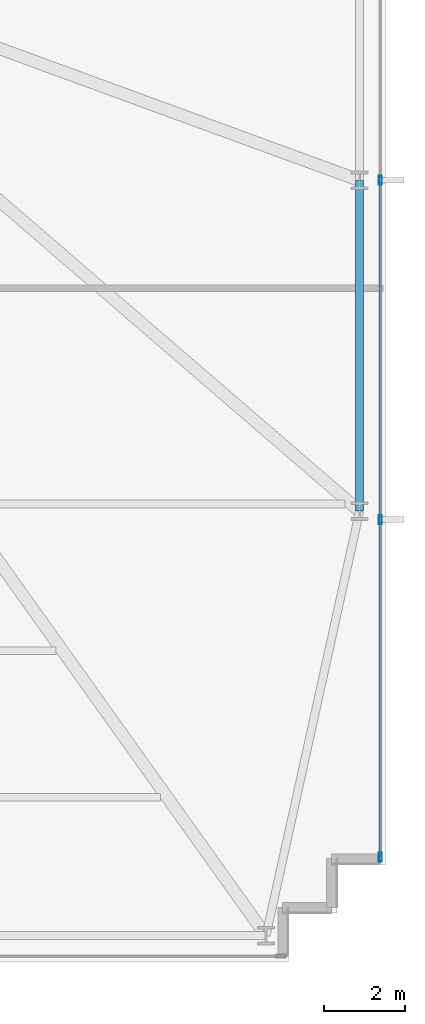
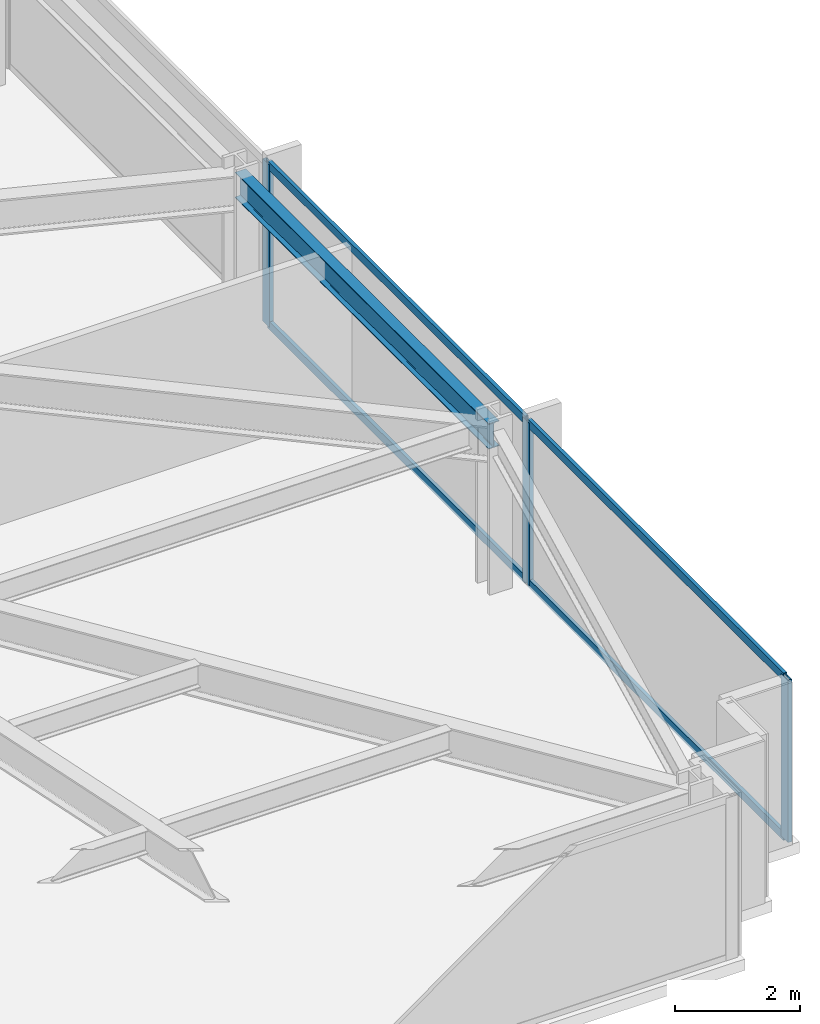
# One storey, part 22 of 32: 7 members, 1 beam, 1 element without a shape of its own.
"""IFC4 building model written with IfcOpenShell, lengths in metres."""

from ifc_helpers import new_model, si_unit, direction, frame, origin, origin_2d, place, context, subcontext, project, spatial, hollow_rectangle, i_section, extrude, material, material_profile, profile_set, type_object, element, aggregate, save


model = new_model("IFC4")

# Units and contexts
model_context = context("Model", 3, precision=1e-05, world=origin(), true_north=direction((0.0, 1.0)))
body_context = subcontext(model_context, "Body", "Model", "MODEL_VIEW")
ifc_project = project(units=[si_unit("LENGTHUNIT", "METRE"), si_unit("AREAUNIT", "SQUARE_METRE"), si_unit("VOLUMEUNIT", "CUBIC_METRE"), si_unit("PLANEANGLEUNIT", "RADIAN"), si_unit("MASSUNIT", "GRAM", prefix="KILO")], contexts=[model_context])

# Site, building, storey
site_placement = place(None, origin())
site = spatial("IfcSite", under=ifc_project, at=site_placement, CompositionType="ELEMENT")
building_placement = place(site_placement, origin())
building = spatial("IfcBuilding", under=site, at=building_placement, Name="Yelkora Congress Tower", CompositionType="ELEMENT")
storey_placement = place(building_placement, frame((0.0, 0.0, 61.0)))
storey = spatial("IfcBuildingStorey", under=building, at=storey_placement, Name="L15", CompositionType="ELEMENT", Elevation=61.0)

# Beam
ifc_material_1 = material(Name="Steel S355J2", Category="steel")
ifc_material_profile_1 = material_profile(ifc_material_1, i_section(OverallWidth=0.199951171875, OverallDepth=0.5, WebThickness=0.01025390625, FlangeThickness=0.01611328125, FilletRadius=0.02099609375, at=origin_2d()), Name="IPE 500")
ifc_profile_set_1 = profile_set([ifc_material_profile_1], Name="Steel S355J2")
beam_type = type_object("IfcBeamType", Name="BM-SPAN-IPE500", PredefinedType="SPANDREL", material=ifc_profile_set_1)
beam_placement = place(storey_placement, frame((70.14990234375, 21.27490234375, 2.929931640625), z_axis=(0.0, 1.0, 0.0), x_axis=(-1.0, 0.0, 0.0)))
element("IfcBeam", 1, at=beam_placement, inside=storey, type_object=beam_type, Name="L15 Perimeter Beam 11", PredefinedType="SPANDREL", context=body_context, shape_type="SweptSolid", body=[
    extrude(i_section(OverallWidth=0.199951171875, OverallDepth=0.5, WebThickness=0.01025390625, FlangeThickness=0.01611328125, FilletRadius=0.02099609375, at=origin_2d()), origin(), (0.0, 0.0, 1.0), 8.125),
])

# Curtain wall, members
ifc_material_2 = material(Name="Anodised aluminium and insulated glass", Category="aluminium")
curtain_wall_type = type_object("IfcCurtainWallType", Name="CW-SYS-B1", PredefinedType="NOTDEFINED", material=ifc_material_2)
curtain_wall_placement = place(storey_placement, origin())
curtain_wall = element("IfcCurtainWall", 2, at=curtain_wall_placement, inside=storey, type_object=curtain_wall_type, Name="L15 Unitised Curtain Wall 15", PredefinedType="NOTDEFINED")
ifc_material_3 = material(Name="Anodised aluminium 6063-T6", Category="aluminium")
ifc_material_profile_2 = material_profile(ifc_material_3, hollow_rectangle(XDim=0.074951171875, YDim=0.219970703125, WallThickness=0.0048828125, at=origin_2d()), Name="ALU 75x220x5")
ifc_profile_set_2 = profile_set([ifc_material_profile_2], Name="Anodised aluminium 6063-T6")
member_type_1 = type_object("IfcMemberType", Name="MEM-ML-B1", PredefinedType="MULLION", material=ifc_profile_set_2)
member_1_placement = place(storey_placement, frame((70.659912109375, 29.39990234375, 0.0), z_axis=(0.0, 0.0, 1.0), x_axis=(1.0, 0.0, 0.0)))
member_1 = element("IfcMember", 3, at=member_1_placement, type_object=member_type_1, Name="CW-B1 mullion 3", PredefinedType="MULLION", context=body_context, shape_type="SweptSolid", body=[
    extrude(hollow_rectangle(XDim=0.074951171875, YDim=0.219970703125, WallThickness=0.0048828125, at=origin_2d()), origin(), (0.0, 0.0, 1.0), 3.179931640625),
])
member_2_placement = place(storey_placement, frame((70.659912109375, 21.070068359375, 0.0), z_axis=(0.0, 0.0, 1.0), x_axis=(1.0, 0.0, 0.0)))
member_2 = element("IfcMember", 4, at=member_2_placement, type_object=member_type_1, Name="CW-B1 mullion 4", PredefinedType="MULLION", context=body_context, shape_type="SweptSolid", body=[
    extrude(hollow_rectangle(XDim=0.074951171875, YDim=0.219970703125, WallThickness=0.0048828125, at=origin_2d()), origin(), (0.0, 0.0, 1.0), 3.179931640625),
])
member_3_placement = place(storey_placement, frame((70.659912109375, 12.777587890625, 0.0), z_axis=(0.0, 0.0, 1.0), x_axis=(1.0, 0.0, 0.0)))
member_3 = element("IfcMember", 5, at=member_3_placement, type_object=member_type_1, Name="CW-B1 mullion 5", PredefinedType="MULLION", context=body_context, shape_type="SweptSolid", body=[
    extrude(hollow_rectangle(XDim=0.074951171875, YDim=0.219970703125, WallThickness=0.0048828125, at=origin_2d()), origin(), (0.0, 0.0, 1.0), 3.179931640625),
])
ifc_material_profile_3 = material_profile(ifc_material_3, hollow_rectangle(XDim=0.06494140625, YDim=0.159912109375, WallThickness=0.00390625, at=origin_2d()), Name="ALU 65x160x4")
ifc_profile_set_3 = profile_set([ifc_material_profile_3], Name="Anodised aluminium 6063-T6")
member_type_2 = type_object("IfcMemberType", Name="MEM-TR-B1", PredefinedType="USERDEFINED", material=ifc_profile_set_3)
member_4_placement = place(storey_placement, frame((70.659912109375, 29.362548828125, 0.032470703125), z_axis=(0.0, -1.0, 0.0), x_axis=(1.0, 0.0, 0.0)))
member_4 = element("IfcMember", 6, at=member_4_placement, type_object=member_type_2, Name="CW-B1 transom 3.1", ObjectType="TRANSOM", PredefinedType="USERDEFINED", context=body_context, shape_type="SweptSolid", body=[
    extrude(hollow_rectangle(XDim=0.06494140625, YDim=0.159912109375, WallThickness=0.00390625, at=origin_2d()), origin(), (0.0, 0.0, 1.0), 8.255126953125),
])
member_5_placement = place(storey_placement, frame((70.659912109375, 29.362548828125, 3.1474609375), z_axis=(0.0, -1.0, 0.0), x_axis=(1.0, 0.0, 0.0)))
member_5 = element("IfcMember", 7, at=member_5_placement, type_object=member_type_2, Name="CW-B1 transom 3.2", ObjectType="TRANSOM", PredefinedType="USERDEFINED", context=body_context, shape_type="SweptSolid", body=[
    extrude(hollow_rectangle(XDim=0.06494140625, YDim=0.159912109375, WallThickness=0.00390625, at=origin_2d()), origin(), (0.0, 0.0, 1.0), 8.255126953125),
])
member_6_placement = place(storey_placement, frame((70.659912109375, 21.032470703125, 0.032470703125), z_axis=(0.0, -1.0, 0.0), x_axis=(1.0, 0.0, 0.0)))
member_6 = element("IfcMember", 8, at=member_6_placement, type_object=member_type_2, Name="CW-B1 transom 4.1", ObjectType="TRANSOM", PredefinedType="USERDEFINED", context=body_context, shape_type="SweptSolid", body=[
    extrude(hollow_rectangle(XDim=0.06494140625, YDim=0.159912109375, WallThickness=0.00390625, at=origin_2d()), origin(), (0.0, 0.0, 1.0), 8.217529296875),
])
member_7_placement = place(storey_placement, frame((70.659912109375, 21.032470703125, 3.1474609375), z_axis=(0.0, -1.0, 0.0), x_axis=(1.0, 0.0, 0.0)))
member_7 = element("IfcMember", 9, at=member_7_placement, type_object=member_type_2, Name="CW-B1 transom 4.2", ObjectType="TRANSOM", PredefinedType="USERDEFINED", context=body_context, shape_type="SweptSolid", body=[
    extrude(hollow_rectangle(XDim=0.06494140625, YDim=0.159912109375, WallThickness=0.00390625, at=origin_2d()), origin(), (0.0, 0.0, 1.0), 8.217529296875),
])
aggregate(curtain_wall, [member_1, member_2, member_3, member_4, member_5, member_6, member_7])

save(model, "model.ifc")
